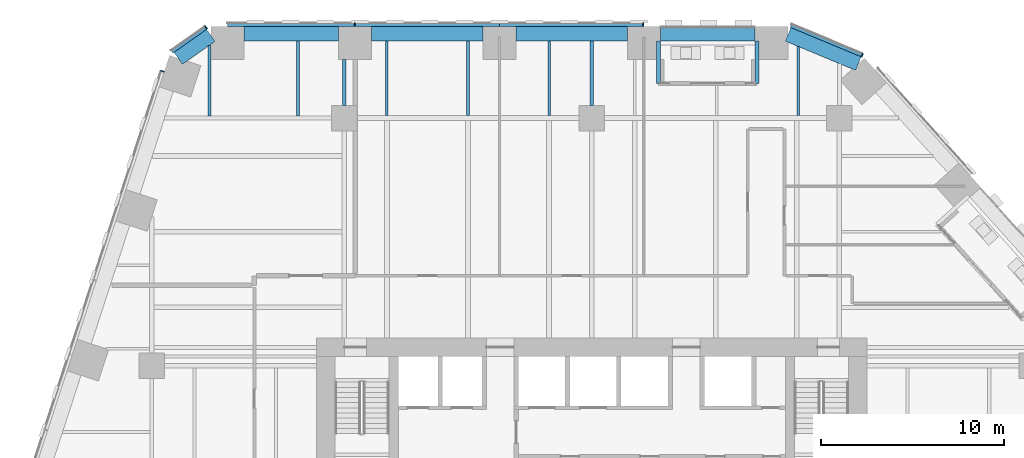
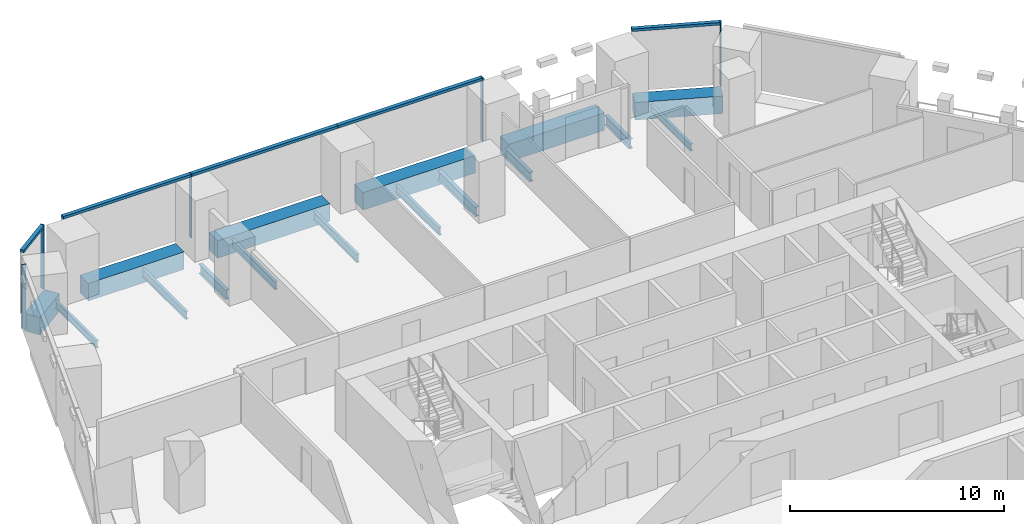
# One storey, part 13 of 31: 16 beams, 10 members, 4 elements without a shape of their own.
"""IFC4 building model written with IfcOpenShell, lengths in metres."""

from ifc_helpers import new_model, si_unit, direction, frame, origin, origin_2d, place, context, subcontext, project, spatial, rectangle, i_section, extrude, material, layer, layer_set, material_profile, profile_set, type_object, element, aggregate, save


model = new_model("IFC4")

# Units and contexts
model_context = context("Model", 3, precision=1e-05, world=origin(), true_north=direction((0.0, 1.0)))
body_context = subcontext(model_context, "Body", "Model", "MODEL_VIEW")
ifc_project = project(units=[si_unit("LENGTHUNIT", "METRE"), si_unit("AREAUNIT", "SQUARE_METRE"), si_unit("VOLUMEUNIT", "CUBIC_METRE"), si_unit("PLANEANGLEUNIT", "RADIAN"), si_unit("MASSUNIT", "GRAM", prefix="KILO")], contexts=[model_context])

# Site, building, storey
site_placement = place(None, origin())
site = spatial("IfcSite", under=ifc_project, at=site_placement, CompositionType="ELEMENT")
building_placement = place(site_placement, origin())
building = spatial("IfcBuilding", under=site, at=building_placement, Name="Isthmus Gate Tower", CompositionType="ELEMENT")
storey_placement = place(building_placement, frame((0.0, 0.0, 39.64990234375)))
storey = spatial("IfcBuildingStorey", under=building, at=storey_placement, Name="L07", CompositionType="ELEMENT", Elevation=39.64990234375)

# Curtain wall, members
ifc_material_1 = material(Name="Aluminium, pale champagne anodised", Category="aluminium")
ifc_layer = layer(ifc_material_1, 0.199951171875)
ifc_layer_set = layer_set([ifc_layer], Name="CW-1 UNITISED CURTAIN WALL 200 DEEP")
curtain_wall_type = type_object("IfcCurtainWallType", Name="CW-1 UNITISED CURTAIN WALL 200 DEEP", PredefinedType="NOTDEFINED", material=ifc_layer_set)
curtain_wall_1_placement = place(storey_placement, origin())
curtain_wall_1 = element("IfcCurtainWall", 1, at=curtain_wall_1_placement, inside=storey, type_object=curtain_wall_type, Name="CW-1 N L07", PredefinedType="NOTDEFINED")
ifc_material_2 = material(Name="Aluminium, pale champagne anodised", Category="aluminium")
ifc_material_profile_1 = material_profile(ifc_material_2, rectangle(XDim=0.06005859375, YDim=0.199951171875, at=origin_2d()), Name="60x200")
ifc_profile_set_1 = profile_set([ifc_material_profile_1], Name="Aluminium, pale champagne anodised")
member_type_1 = type_object("IfcMemberType", Name="CW-1 MULLION 60 X 200", PredefinedType="MULLION", material=ifc_profile_set_1)
member_1_placement = place(storey_placement, frame((2.80224609375, 32.10009765625, 0.0), z_axis=(0.0, 0.0, 1.0), x_axis=(-1.0, 0.0, 0.0)))
member_1 = element("IfcMember", 2, at=member_1_placement, type_object=member_type_1, Name="CW-1 mullion", PredefinedType="MULLION", context=body_context, shape_type="SweptSolid", body=[
    extrude(rectangle(XDim=0.06005859375, YDim=0.199951171875, at=origin_2d()), origin(), (0.0, 0.0, 1.0), 3.650146484375),
])
member_2_placement = place(storey_placement, frame((-12.936767578125, 32.10009765625, 0.0), z_axis=(0.0, 0.0, 1.0), x_axis=(-1.0, 0.0, 0.0)))
member_2 = element("IfcMember", 3, at=member_2_placement, type_object=member_type_1, Name="CW-1 mullion", PredefinedType="MULLION", context=body_context, shape_type="SweptSolid", body=[
    extrude(rectangle(XDim=0.06005859375, YDim=0.199951171875, at=origin_2d()), origin(), (0.0, 0.0, 1.0), 3.650146484375),
])

# Curtain wall, member
curtain_wall_2_placement = place(storey_placement, origin())
curtain_wall_2 = element("IfcCurtainWall", 4, at=curtain_wall_2_placement, inside=storey, type_object=curtain_wall_type, Name="CW-1 N-NW L07", PredefinedType="NOTDEFINED")
member_3_placement = place(storey_placement, frame((-21.031005859375, 31.943115234375, 0.0), z_axis=(0.0, 0.0, 1.0), x_axis=(-0.81785959165, -0.57541783805, 0.0)))
member_3 = element("IfcMember", 5, at=member_3_placement, type_object=member_type_1, Name="CW-1 mullion", PredefinedType="MULLION", context=body_context, shape_type="SweptSolid", body=[
    extrude(rectangle(XDim=0.06005859375, YDim=0.199951171875, at=origin_2d()), origin(), (0.0, 0.0, 1.0), 3.650146484375),
])

curtain_wall_3_placement = place(storey_placement, origin())
curtain_wall_3 = element("IfcCurtainWall", 6, at=curtain_wall_3_placement, inside=storey, type_object=curtain_wall_type, Name="CW-1 NW L07", PredefinedType="NOTDEFINED")
member_4_placement = place(storey_placement, frame((-23.41162109375, 29.561279296875, 0.0), z_axis=(0.0, 0.0, 1.0), x_axis=(-0.309016994375, -0.951056516295, 0.0)))
member_4 = element("IfcMember", 7, at=member_4_placement, type_object=member_type_1, Name="CW-1 mullion", PredefinedType="MULLION", context=body_context, shape_type="SweptSolid", body=[
    extrude(rectangle(XDim=0.06005859375, YDim=0.199951171875, at=origin_2d()), origin(), (0.0, 0.0, 1.0), 3.650146484375),
])
aggregate(curtain_wall_3, [member_4])

curtain_wall_4_placement = place(storey_placement, origin())
curtain_wall_4 = element("IfcCurtainWall", 8, at=curtain_wall_4_placement, inside=storey, type_object=curtain_wall_type, Name="CW-1 NE-N L07", PredefinedType="NOTDEFINED")
member_5_placement = place(storey_placement, frame((14.744140625, 30.427490234375, 0.0), z_axis=(0.0, 0.0, 1.0), x_axis=(-0.923353128387, 0.383951820282, 0.0)))
member_5 = element("IfcMember", 9, at=member_5_placement, type_object=member_type_1, Name="CW-1 mullion", PredefinedType="MULLION", context=body_context, shape_type="SweptSolid", body=[
    extrude(rectangle(XDim=0.06005859375, YDim=0.199951171875, at=origin_2d()), origin(), (0.0, 0.0, 1.0), 3.650146484375),
])

# Member
ifc_material_3 = material(Name="Aluminium, pale champagne anodised", Category="aluminium")
ifc_material_profile_2 = material_profile(ifc_material_3, rectangle(XDim=0.199951171875, YDim=0.14990234375, at=origin_2d()), Name="200x150")
ifc_profile_set_2 = profile_set([ifc_material_profile_2], Name="Aluminium, pale champagne anodised")
member_type_2 = type_object("IfcMemberType", Name="CW-1 TRANSOM 200 X 150", PredefinedType="USERDEFINED", material=ifc_profile_set_2)
member_6_placement = place(storey_placement, frame((2.772216796875, 32.10009765625, 3.5751953125), z_axis=(-1.0, 0.0, 0.0), x_axis=(0.0, -1.0, 0.0)))
member_6 = element("IfcMember", 10, at=member_6_placement, type_object=member_type_2, Name="CW-1 transom", ObjectType="TRANSOM", PredefinedType="USERDEFINED", context=body_context, shape_type="SweptSolid", body=[
    extrude(rectangle(XDim=0.199951171875, YDim=0.14990234375, at=origin_2d()), origin(), (0.0, 0.0, 1.0), 7.809326171875),
])

member_7_placement = place(storey_placement, frame((-5.037109375, 32.10009765625, 3.5751953125), z_axis=(-1.0, 0.0, 0.0), x_axis=(0.0, -1.0, 0.0)))
member_7 = element("IfcMember", 11, at=member_7_placement, type_object=member_type_2, Name="CW-1 transom", ObjectType="TRANSOM", PredefinedType="USERDEFINED", context=body_context, shape_type="SweptSolid", body=[
    extrude(rectangle(XDim=0.199951171875, YDim=0.14990234375, at=origin_2d()), origin(), (0.0, 0.0, 1.0), 7.86962890625),
])

member_8_placement = place(storey_placement, frame((-12.966796875, 32.10009765625, 3.5751953125), z_axis=(-1.0, 0.0, 0.0), x_axis=(0.0, -1.0, 0.0)))
member_8 = element("IfcMember", 12, at=member_8_placement, type_object=member_type_2, Name="CW-1 transom", ObjectType="TRANSOM", PredefinedType="USERDEFINED", context=body_context, shape_type="SweptSolid", body=[
    extrude(rectangle(XDim=0.199951171875, YDim=0.14990234375, at=origin_2d()), origin(), (0.0, 0.0, 1.0), 6.909423828125),
])

aggregate(curtain_wall_1, [member_1, member_6, member_7, member_2, member_8])

member_9_placement = place(storey_placement, frame((-21.055419921875, 31.92578125, 3.5751953125), z_axis=(-0.817868595604, -0.575405040233, 0.0), x_axis=(0.575405040233, -0.817868595604, 0.0)))
member_9 = element("IfcMember", 13, at=member_9_placement, type_object=member_type_2, Name="CW-1 transom", ObjectType="TRANSOM", PredefinedType="USERDEFINED", context=body_context, shape_type="SweptSolid", body=[
    extrude(rectangle(XDim=0.199951171875, YDim=0.14990234375, at=origin_2d()), origin(), (0.0, 0.0, 1.0), 2.258544921875),
])

aggregate(curtain_wall_2, [member_3, member_9])

member_10_placement = place(storey_placement, frame((14.716552734375, 30.43896484375, 3.5751953125), z_axis=(-0.923358236369, 0.383939536033, 0.0), x_axis=(-0.383939536033, -0.923358236369, 0.0)))
member_10 = element("IfcMember", 14, at=member_10_placement, type_object=member_type_2, Name="CW-1 transom", ObjectType="TRANSOM", PredefinedType="USERDEFINED", context=body_context, shape_type="SweptSolid", body=[
    extrude(rectangle(XDim=0.199951171875, YDim=0.14990234375, at=origin_2d()), origin(), (0.0, 0.0, 1.0), 4.181640625),
])

aggregate(curtain_wall_4, [member_5, member_10])

# Beams
ifc_material_4 = material(Name="Concrete f'c 70 MPa", Category="concrete")
ifc_material_profile_3 = material_profile(ifc_material_4, rectangle(XDim=0.800048828125, YDim=1.0, at=origin_2d()), Name="RC 800X1000")
ifc_profile_set_3 = profile_set([ifc_material_profile_3], Name="Concrete f'c 70 MPa")
beam_type_1 = type_object("IfcBeamType", Name="RC SPANDREL 800 X 1000", PredefinedType="SPANDREL", material=ifc_profile_set_3)
beam_1_placement = place(storey_placement, frame((10.701904296875, 31.56689453125, -0.5), z_axis=(0.923334166719, -0.383997417399, 0.0), x_axis=(0.383997417399, 0.923334166719, 0.0)))
element("IfcBeam", 15, at=beam_1_placement, inside=storey, type_object=beam_type_1, Name="str-spandrel-L07-00", PredefinedType="SPANDREL", context=body_context, shape_type="SweptSolid", body=[
    extrude(rectangle(XDim=0.800048828125, YDim=1.0, at=origin_2d()), origin(), (0.0, 0.0, 1.0), 4.15234375),
])
beam_2_placement = place(storey_placement, frame((-22.553466796875, 30.260498046875, -0.5), z_axis=(0.817857331203, 0.575421050882, 0.0), x_axis=(-0.575421050882, 0.817857331203, 0.0)))
element("IfcBeam", 16, at=beam_2_placement, inside=storey, type_object=beam_type_1, Name="str-spandrel-L07-22", PredefinedType="SPANDREL", context=body_context, shape_type="SweptSolid", body=[
    extrude(rectangle(XDim=0.800048828125, YDim=1.0, at=origin_2d()), origin(), (0.0, 0.0, 1.0), 2.173095703125),
])
beam_3_placement = place(storey_placement, frame((-18.976318359375, 31.60009765625, -0.5), z_axis=(1.0, 0.0, 0.0), x_axis=(0.0, 1.0, 0.0)))
element("IfcBeam", 17, at=beam_3_placement, inside=storey, type_object=beam_type_1, Name="str-spandrel-L07-23", PredefinedType="SPANDREL", context=body_context, shape_type="SweptSolid", body=[
    extrude(rectangle(XDim=0.800048828125, YDim=1.0, at=origin_2d()), origin(), (0.0, 0.0, 1.0), 5.169677734375),
])
beam_4_placement = place(storey_placement, frame((-12.006591796875, 31.60009765625, -0.5), z_axis=(1.0, 0.0, 0.0), x_axis=(0.0, 1.0, 0.0)))
element("IfcBeam", 18, at=beam_4_placement, inside=storey, type_object=beam_type_1, Name="str-spandrel-L07-24", PredefinedType="SPANDREL", context=body_context, shape_type="SweptSolid", body=[
    extrude(rectangle(XDim=0.800048828125, YDim=1.0, at=origin_2d()), origin(), (0.0, 0.0, 1.0), 6.0693359375),
])
beam_5_placement = place(storey_placement, frame((-4.13720703125, 31.60009765625, -0.5), z_axis=(1.0, 0.0, 0.0), x_axis=(0.0, 1.0, 0.0)))
element("IfcBeam", 19, at=beam_5_placement, inside=storey, type_object=beam_type_1, Name="str-spandrel-L07-25", PredefinedType="SPANDREL", context=body_context, shape_type="SweptSolid", body=[
    extrude(rectangle(XDim=0.800048828125, YDim=1.0, at=origin_2d()), origin(), (0.0, 0.0, 1.0), 6.069580078125),
])
beam_6_placement = place(storey_placement, frame((3.732421875, 31.60009765625, -0.5), z_axis=(1.0, 0.0, 0.0), x_axis=(0.0, 1.0, 0.0)))
element("IfcBeam", 20, at=beam_6_placement, inside=storey, type_object=beam_type_1, Name="str-spandrel-L07-26", PredefinedType="SPANDREL", context=body_context, shape_type="SweptSolid", body=[
    extrude(rectangle(XDim=0.800048828125, YDim=1.0, at=origin_2d()), origin(), (0.0, 0.0, 1.0), 5.16943359375),
])
ifc_material_5 = material(Name="Structural steel ASTM A992 Gr 50", Category="steel")
ifc_material_profile_4 = material_profile(ifc_material_5, i_section(OverallWidth=0.1396484375, OverallDepth=0.4033203125, WebThickness=0.00634765625, FlangeThickness=0.010986328125, at=origin_2d()), Name="W16X31")
ifc_profile_set_4 = profile_set([ifc_material_profile_4], Name="Structural steel ASTM A992 Gr 50")
beam_type_2 = type_object("IfcBeamType", Name="STEEL FLOOR BEAM W16X31", PredefinedType="JOIST", material=ifc_profile_set_4)
beam_7_placement = place(storey_placement, frame((-20.846435546875, 27.1142578125, -0.3515625), z_axis=(0.0, 1.0, 0.0), x_axis=(-1.0, 0.0, 0.0)))
element("IfcBeam", 21, at=beam_7_placement, inside=storey, type_object=beam_type_2, Name="str-beam-L07-10-00", PredefinedType="JOIST", context=body_context, shape_type="SweptSolid", body=[
    extrude(i_section(OverallWidth=0.1396484375, OverallDepth=0.4033203125, WebThickness=0.00634765625, FlangeThickness=0.010986328125, at=origin_2d()), origin(), (0.0, 0.0, 1.0), 3.858154296875),
])
beam_8_placement = place(storey_placement, frame((11.267578125, 27.1318359375, -0.3515625), z_axis=(0.0, 1.0, 0.0), x_axis=(-1.0, 0.0, 0.0)))
element("IfcBeam", 22, at=beam_8_placement, inside=storey, type_object=beam_type_2, Name="str-beam-L07-24-02", PredefinedType="JOIST", context=body_context, shape_type="SweptSolid", body=[
    extrude(i_section(OverallWidth=0.1396484375, OverallDepth=0.4033203125, WebThickness=0.00634765625, FlangeThickness=0.010986328125, at=origin_2d()), origin(), (0.0, 0.0, 1.0), 3.7666015625),
])
ifc_material_6 = material(Name="Structural steel ASTM A992 Gr 50", Category="steel")
ifc_material_profile_5 = material_profile(ifc_material_6, i_section(OverallWidth=0.15234375, OverallDepth=0.45068359375, WebThickness=0.0078125, FlangeThickness=0.010986328125, at=origin_2d()), Name="W18X35")
ifc_profile_set_5 = profile_set([ifc_material_profile_5], Name="Structural steel ASTM A992 Gr 50")
beam_type_3 = type_object("IfcBeamType", Name="STEEL FLOOR BEAM W18X35", PredefinedType="JOIST", material=ifc_profile_set_5)
beam_9_placement = place(storey_placement, frame((-16.0185546875, 27.1142578125, -0.375244140625), z_axis=(0.0, 1.0, 0.0), x_axis=(-1.0, 0.0, 0.0)))
element("IfcBeam", 23, at=beam_9_placement, inside=storey, type_object=beam_type_3, Name="str-beam-L07-10-01", PredefinedType="JOIST", context=body_context, shape_type="SweptSolid", body=[
    extrude(i_section(OverallWidth=0.15234375, OverallDepth=0.45068359375, WebThickness=0.0078125, FlangeThickness=0.010986328125, at=origin_2d()), origin(), (0.0, 0.0, 1.0), 4.085693359375),
])
for number, where, z_axis, x_axis, name in (
    (24, (-11.18017578125, 27.1318359375, -0.375244140625), (0.0, 1.0, 0.0), (-1.0, 0.0, 0.0), "str-beam-L07-16-00"),
    (25, (-6.75, 27.1318359375, -0.375244140625), (0.0, 1.0, 0.0), (-1.0, 0.0, 0.0), "str-beam-L07-16-01"),
    (26, (-2.31982421875, 27.1318359375, -0.375244140625), (0.0, 1.0, 0.0), (-1.0, 0.0, 0.0), "str-beam-L07-16-02"),
):
    element("IfcBeam", number, at=place(storey_placement, frame(where, z_axis=z_axis, x_axis=x_axis)), inside=storey, type_object=beam_type_3, Name=name, PredefinedType="JOIST", context=body_context, shape_type="SweptSolid", body=[
        extrude(i_section(OverallWidth=0.15234375, OverallDepth=0.45068359375, WebThickness=0.0078125, FlangeThickness=0.010986328125, at=origin_2d()), origin(), (0.0, 0.0, 1.0), 4.068115234375),
    ])
ifc_material_7 = material(Name="Structural steel ASTM A992 Gr 50", Category="steel")
ifc_material_profile_6 = material_profile(ifc_material_7, i_section(OverallWidth=0.20947265625, OverallDepth=0.533447265625, WebThickness=0.009521484375, FlangeThickness=0.015869140625, at=origin_2d()), Name="W21X62")
ifc_profile_set_6 = profile_set([ifc_material_profile_6], Name="Structural steel ASTM A992 Gr 50")
beam_type_4 = type_object("IfcBeamType", Name="STEEL GIRDER W21X62", PredefinedType="BEAM", material=ifc_profile_set_6)
beam_10_placement = place(storey_placement, frame((-13.5, 27.699951171875, -0.41650390625), z_axis=(0.0, 1.0, 0.0), x_axis=(-1.0, 0.0, 0.0)))
element("IfcBeam", 27, at=beam_10_placement, inside=storey, type_object=beam_type_4, Name="str-girder-L07-27", PredefinedType="BEAM", context=body_context, shape_type="SweptSolid", body=[
    extrude(i_section(OverallWidth=0.20947265625, OverallDepth=0.533447265625, WebThickness=0.009521484375, FlangeThickness=0.015869140625, at=origin_2d()), origin(), (0.0, 0.0, 1.0), 2.5),
])
beam_11_placement = place(storey_placement, frame((0.0, 27.699951171875, -0.41650390625), z_axis=(0.0, 1.0, 0.0), x_axis=(-1.0, 0.0, 0.0)))
element("IfcBeam", 28, at=beam_11_placement, inside=storey, type_object=beam_type_4, Name="str-girder-L07-30", PredefinedType="BEAM", context=body_context, shape_type="SweptSolid", body=[
    extrude(i_section(OverallWidth=0.20947265625, OverallDepth=0.533447265625, WebThickness=0.009521484375, FlangeThickness=0.015869140625, at=origin_2d()), origin(), (0.0, 0.0, 1.0), 3.5),
])
ifc_material_8 = material(Name="Structural steel ASTM A992 Gr 50", Category="steel")
ifc_material_profile_7 = material_profile(ifc_material_8, i_section(OverallWidth=0.20947265625, OverallDepth=0.533447265625, WebThickness=0.009521484375, FlangeThickness=0.015869140625, at=origin_2d()), Name="W21X62")
ifc_profile_set_7 = profile_set([ifc_material_profile_7], Name="Structural steel ASTM A992 Gr 50")
beam_type_5 = type_object("IfcBeamType", Name="STEEL TRIMMER W21X62", PredefinedType="BEAM", material=ifc_profile_set_7)
for number, where, z_axis, x_axis, name in (
    (29, (9.006591796875, 31.199951171875, -0.41650390625), (0.0, -1.0, 0.0), (1.0, 0.0, 0.0), "str-loggiatrim-L07-01-A"),
    (30, (3.627685546875, 31.199951171875, -0.41650390625), (0.0, -1.0, 0.0), (1.0, 0.0, 0.0), "str-loggiatrim-L07-01-C"),
):
    element("IfcBeam", number, at=place(storey_placement, frame(where, z_axis=z_axis, x_axis=x_axis)), inside=storey, type_object=beam_type_5, Name=name, PredefinedType="BEAM", context=body_context, shape_type="SweptSolid", body=[
        extrude(i_section(OverallWidth=0.20947265625, OverallDepth=0.533447265625, WebThickness=0.009521484375, FlangeThickness=0.015869140625, at=origin_2d()), origin(), (0.0, 0.0, 1.0), 2.3046875),
    ])

save(model, "model.ifc")
